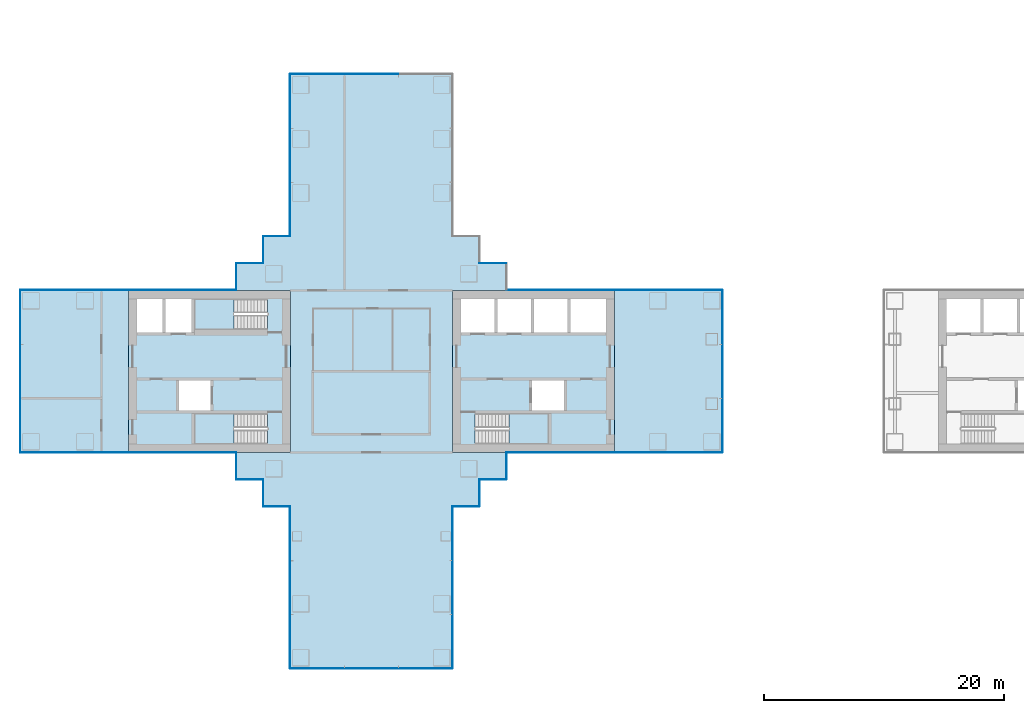
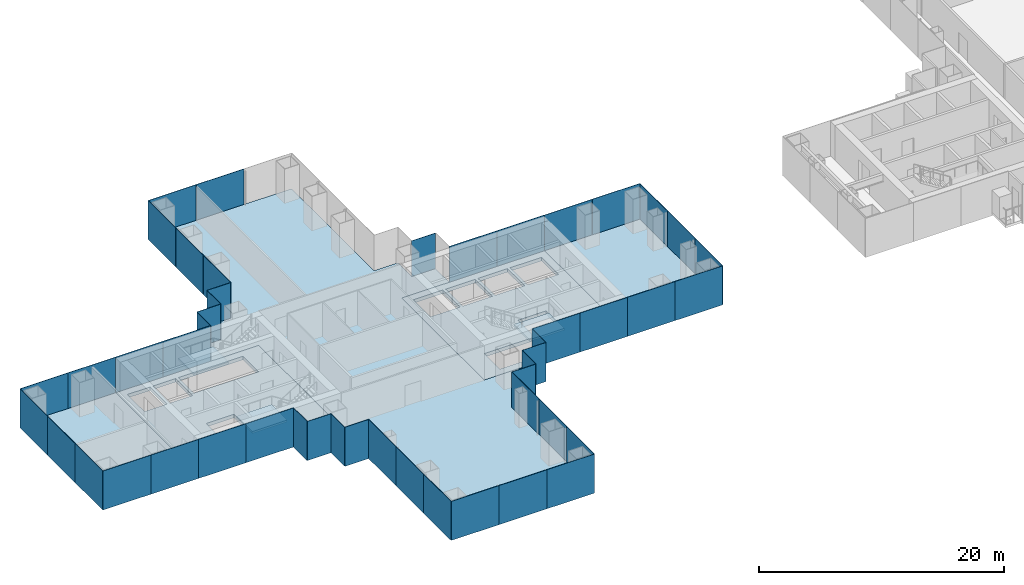
# One storey, part 11 of 22: 49 plates, 8 slabs, 22 elements without a shape of their own.
"""IFC4 building model written with IfcOpenShell, lengths in metres."""

from ifc_helpers import new_model, si_unit, direction, frame, origin, origin_2d, place, context, subcontext, project, spatial, polyline, rectangle, outline, extrude, material, layer, layer_set, type_object, element, aggregate, save


model = new_model("IFC4")

# Units and contexts
model_context = context("Model", 3, precision=1e-05, world=origin(), true_north=direction((0.0, 1.0)))
body_context = subcontext(model_context, "Body", "Model", "MODEL_VIEW")
ifc_project = project(units=[si_unit("LENGTHUNIT", "METRE"), si_unit("AREAUNIT", "SQUARE_METRE"), si_unit("VOLUMEUNIT", "CUBIC_METRE"), si_unit("PLANEANGLEUNIT", "RADIAN"), si_unit("MASSUNIT", "GRAM", prefix="KILO")], contexts=[model_context])

# Site, building, storey
site_placement = place(None, origin())
site = spatial("IfcSite", under=ifc_project, at=site_placement, CompositionType="ELEMENT")
building_placement = place(site_placement, origin())
building = spatial("IfcBuilding", under=site, at=building_placement, Name="Shamsa Quay Exchange Towers", CompositionType="ELEMENT")
storey_placement = place(building_placement, frame((0.0, 0.0, 73.199951171875)))
storey = spatial("IfcBuildingStorey", under=building, at=storey_placement, Name="L16", CompositionType="ELEMENT", Elevation=73.199951171875)

# Slabs
ifc_material_1 = material(Name="Concrete C50/60", Category="concrete")
ifc_layer_1 = layer(ifc_material_1, 0.35009765625)
ifc_layer_set_1 = layer_set([ifc_layer_1], Name="CORE FLOOR 350 C50/60")
slab_type_1 = type_object("IfcSlabType", Name="CORE FLOOR 350 C50/60", PredefinedType="FLOOR", material=ifc_layer_set_1)
slab_1_placement = place(storey_placement, frame((0.0, 0.0, -0.349853515625)))
element("IfcSlab", 1, at=slab_1_placement, inside=storey, type_object=slab_type_1, Name="Core floor T1A", PredefinedType="FLOOR", context=body_context, shape_type="SweptSolid", body=[
    extrude(outline(polyline([(-27.0, -6.75), (-13.5, -6.75), (-13.5, 6.75), (-27.0, 6.75), (-27.0, -6.75)]), holes=[polyline([(-25.099365234375, -6.050048828125), (-25.099365234375, -3.5), (-19.0, -3.5), (-19.0, -6.050048828125), (-25.099365234375, -6.050048828125)]), polyline([(-26.300048828125, 3.25), (-26.300048828125, 6.050048828125), (-23.5, 6.050048828125), (-23.5, 3.25), (-26.300048828125, 3.25)]), polyline([(-23.25, 3.25), (-23.25, 6.050048828125), (-20.449951171875, 6.050048828125), (-20.449951171875, 3.25), (-23.25, 3.25)]), polyline([(-20.199951171875, 3.25), (-20.199951171875, 6.050048828125), (-17.39990234375, 6.050048828125), (-17.39990234375, 3.25), (-20.199951171875, 3.25)]), polyline([(-17.14990234375, 3.25), (-17.14990234375, 6.050048828125), (-14.199951171875, 6.050048828125), (-14.199951171875, 3.25), (-17.14990234375, 3.25)]), polyline([(-20.35009765625, -3.25), (-20.35009765625, -0.75), (-17.699951171875, -0.75), (-17.699951171875, -3.25), (-20.35009765625, -3.25)])]), origin(), (0.0, 0.0, 1.0), 0.349853515625),
])
slab_2_placement = place(storey_placement, frame((0.0, 0.0, -0.349853515625)))
element("IfcSlab", 2, at=slab_2_placement, inside=storey, type_object=slab_type_1, Name="Core floor T1B", PredefinedType="FLOOR", context=body_context, shape_type="SweptSolid", body=[
    extrude(outline(polyline([(-40.5, -6.75), (-40.5, 6.75), (-54.0, 6.75), (-54.0, -6.75), (-40.5, -6.75)]), holes=[polyline([(-42.400634765625, -3.5), (-42.400634765625, -6.050048828125), (-48.5, -6.050048828125), (-48.5, -3.5), (-42.400634765625, -3.5)]), polyline([(-42.400634765625, 6.050048828125), (-42.400634765625, 3.5), (-48.5, 3.5), (-48.5, 6.050048828125), (-42.400634765625, 6.050048828125)]), polyline([(-48.75, 3.25), (-50.89990234375, 3.25), (-50.89990234375, 6.050048828125), (-48.75, 6.050048828125), (-48.75, 3.25)]), polyline([(-51.14990234375, 3.25), (-53.300048828125, 3.25), (-53.300048828125, 6.050048828125), (-51.14990234375, 6.050048828125), (-51.14990234375, 3.25)]), polyline([(-47.14990234375, -3.25), (-49.800048828125, -3.25), (-49.800048828125, -0.75), (-47.14990234375, -0.75), (-47.14990234375, -3.25)])]), origin(), (0.0, 0.0, 1.0), 0.349853515625),
])

# Stair, slab
ifc_material_2 = material(Name="Concrete C40/50", Category="concrete")
stair_type = type_object("IfcStairType", Name="EXIT STAIR 22 RISERS 177 MM", PredefinedType="HALF_TURN_STAIR", material=ifc_material_2)
stair_1_placement = place(storey_placement, origin())
stair_1 = element("IfcStair", 3, at=stair_1_placement, inside=storey, type_object=stair_type, Name="L16 Exit stair ST1", PredefinedType="HALF_TURN_STAIR")
ifc_layer_2 = layer(ifc_material_2, 0.199951171875)
ifc_layer_set_2 = layer_set([ifc_layer_2], Name="CORE STAIR LANDING")
slab_type_2 = type_object("IfcSlabType", Name="CORE STAIR LANDING", PredefinedType="LANDING", material=ifc_layer_set_2)
slab_3_placement = place(storey_placement, frame((0.0, 0.0, 1.75)))
slab_3 = element("IfcSlab", 4, at=slab_3_placement, type_object=slab_type_2, Name="ST1 landing 1", PredefinedType="LANDING", context=body_context, shape_type="SweptSolid", body=[
    extrude(outline(polyline([(-22.300048828125, -6.050048828125), (-19.0, -6.050048828125), (-19.0, -3.5), (-22.300048828125, -3.5), (-22.300048828125, -6.050048828125)])), origin(), (0.0, 0.0, 1.0), 0.199951171875),
])
aggregate(stair_1, [slab_3])

stair_2_placement = place(storey_placement, origin())
stair_2 = element("IfcStair", 5, at=stair_2_placement, inside=storey, type_object=stair_type, Name="L16 Exit stair ST2", PredefinedType="HALF_TURN_STAIR")
slab_4_placement = place(storey_placement, frame((0.0, 0.0, 1.75)))
slab_4 = element("IfcSlab", 6, at=slab_4_placement, type_object=slab_type_2, Name="ST2 landing 1", PredefinedType="LANDING", context=body_context, shape_type="SweptSolid", body=[
    extrude(outline(polyline([(-45.199951171875, -3.5), (-48.5, -3.5), (-48.5, -6.050048828125), (-45.199951171875, -6.050048828125), (-45.199951171875, -3.5)])), origin(), (0.0, 0.0, 1.0), 0.199951171875),
])
aggregate(stair_2, [slab_4])

stair_3_placement = place(storey_placement, origin())
stair_3 = element("IfcStair", 7, at=stair_3_placement, inside=storey, type_object=stair_type, Name="L16 Exit stair ST3", PredefinedType="HALF_TURN_STAIR")
slab_5_placement = place(storey_placement, frame((0.0, 0.0, 1.75)))
slab_5 = element("IfcSlab", 8, at=slab_5_placement, type_object=slab_type_2, Name="ST3 landing 1", PredefinedType="LANDING", context=body_context, shape_type="SweptSolid", body=[
    extrude(outline(polyline([(-45.199951171875, 6.050048828125), (-48.5, 6.050048828125), (-48.5, 3.5), (-45.199951171875, 3.5), (-45.199951171875, 6.050048828125)])), origin(), (0.0, 0.0, 1.0), 0.199951171875),
])
aggregate(stair_3, [slab_5])

# Curtain wall, plates
ifc_material_3 = material(Name="Aluminium EN AW-6063 T6, black anodised", Category="aluminium")
ifc_layer_3 = layer(ifc_material_3, 0.280029296875)
ifc_layer_set_3 = layer_set([ifc_layer_3], Name="CW-1 UNITISED VISION GLASS")
curtain_wall_type_1 = type_object("IfcCurtainWallType", Name="CW-1 UNITISED VISION GLASS", PredefinedType="NOTDEFINED", material=ifc_layer_set_3)
curtain_wall_1_placement = place(storey_placement, origin())
curtain_wall_1 = element("IfcCurtainWall", 9, at=curtain_wall_1_placement, inside=storey, type_object=curtain_wall_type_1, Name="CW1 T1-FLK-V-W L16", PredefinedType="NOTDEFINED")
ifc_material_4 = material(Name="Glass, laminated, dark tinted", Category="glass")
ifc_layer_4 = layer(ifc_material_4, 0.0400390625)
ifc_layer_set_4 = layer_set([ifc_layer_4], Name="CW-1 VISION GLASS 40")
plate_type_1 = type_object("IfcPlateType", Name="CW-1 VISION GLASS 40", PredefinedType="CURTAIN_PANEL", material=ifc_layer_set_4)
plate_1_placement = place(storey_placement, frame((-40.52001953125, -13.529052734375, -0.349853515625), z_axis=(0.0, 0.0, 1.0), x_axis=(0.0, -1.0, 0.0)))
plate_1 = element("IfcPlate", 10, at=plate_1_placement, type_object=plate_type_1, Name="CW1 glass panel", PredefinedType="CURTAIN_PANEL", context=body_context, shape_type="SweptSolid", body=[
    extrude(rectangle(XDim=4.482421875, YDim=0.0400390625, at=origin_2d()), origin(), (0.0, 0.0, 1.0), 3.89990234375),
])
plate_2_placement = place(storey_placement, frame((-40.52001953125, -18.01904296875, -0.349853515625), z_axis=(0.0, 0.0, 1.0), x_axis=(0.0, -1.0, 0.0)))
plate_2 = element("IfcPlate", 11, at=plate_2_placement, type_object=plate_type_1, Name="CW1 glass panel", PredefinedType="CURTAIN_PANEL", context=body_context, shape_type="SweptSolid", body=[
    extrude(rectangle(XDim=4.477294921875, YDim=0.0400390625, at=origin_2d()), origin(), (0.0, 0.0, 1.0), 3.89990234375),
])
plate_3_placement = place(storey_placement, frame((-40.52001953125, -22.5087890625, -0.349853515625), z_axis=(0.0, 0.0, 1.0), x_axis=(0.0, -1.0, 0.0)))
plate_3 = element("IfcPlate", 12, at=plate_3_placement, type_object=plate_type_1, Name="CW1 glass panel", PredefinedType="CURTAIN_PANEL", context=body_context, shape_type="SweptSolid", body=[
    extrude(rectangle(XDim=4.482421875, YDim=0.0400390625, at=origin_2d()), origin(), (0.0, 0.0, 1.0), 3.89990234375),
])
aggregate(curtain_wall_1, [plate_1, plate_2, plate_3])

curtain_wall_2_placement = place(storey_placement, origin())
curtain_wall_2 = element("IfcCurtainWall", 13, at=curtain_wall_2_placement, inside=storey, type_object=curtain_wall_type_1, Name="CW1 T1-END-V- L16", PredefinedType="NOTDEFINED")
plate_4_placement = place(storey_placement, frame((-38.25244140625, -24.77001953125, -0.349853515625)))
plate_4 = element("IfcPlate", 14, at=plate_4_placement, type_object=plate_type_1, Name="CW1 glass panel", PredefinedType="CURTAIN_PANEL", context=body_context, shape_type="SweptSolid", body=[
    extrude(rectangle(XDim=4.4951171875, YDim=0.0400390625, at=origin_2d()), origin(), (0.0, 0.0, 1.0), 3.89990234375),
])
plate_5_placement = place(storey_placement, frame((-33.75, -24.77001953125, -0.349853515625)))
plate_5 = element("IfcPlate", 15, at=plate_5_placement, type_object=plate_type_1, Name="CW1 glass panel", PredefinedType="CURTAIN_PANEL", context=body_context, shape_type="SweptSolid", body=[
    extrude(rectangle(XDim=4.489990234375, YDim=0.0400390625, at=origin_2d()), origin(), (0.0, 0.0, 1.0), 3.89990234375),
])
plate_6_placement = place(storey_placement, frame((-29.24755859375, -24.77001953125, -0.349853515625)))
plate_6 = element("IfcPlate", 16, at=plate_6_placement, type_object=plate_type_1, Name="CW1 glass panel", PredefinedType="CURTAIN_PANEL", context=body_context, shape_type="SweptSolid", body=[
    extrude(rectangle(XDim=4.4951171875, YDim=0.0400390625, at=origin_2d()), origin(), (0.0, 0.0, 1.0), 3.89990234375),
])
aggregate(curtain_wall_2, [plate_4, plate_5, plate_6])

curtain_wall_3_placement = place(storey_placement, origin())
curtain_wall_3 = element("IfcCurtainWall", 17, at=curtain_wall_3_placement, inside=storey, type_object=curtain_wall_type_1, Name="CW1 T1-FLK-V-E L16", PredefinedType="NOTDEFINED")
plate_7_placement = place(storey_placement, frame((-26.97998046875, -22.50244140625, -0.349853515625), z_axis=(0.0, 0.0, 1.0), x_axis=(0.0, 1.0, 0.0)))
plate_7 = element("IfcPlate", 18, at=plate_7_placement, type_object=plate_type_1, Name="CW1 glass panel", PredefinedType="CURTAIN_PANEL", context=body_context, shape_type="SweptSolid", body=[
    extrude(rectangle(XDim=4.4951171875, YDim=0.0400390625, at=origin_2d()), origin(), (0.0, 0.0, 1.0), 3.89990234375),
])
plate_8_placement = place(storey_placement, frame((-26.97998046875, -18.0, -0.349853515625), z_axis=(0.0, 0.0, 1.0), x_axis=(0.0, 1.0, 0.0)))
plate_8 = element("IfcPlate", 19, at=plate_8_placement, type_object=plate_type_1, Name="CW1 glass panel", PredefinedType="CURTAIN_PANEL", context=body_context, shape_type="SweptSolid", body=[
    extrude(rectangle(XDim=4.489990234375, YDim=0.0400390625, at=origin_2d()), origin(), (0.0, 0.0, 1.0), 3.89990234375),
])
plate_9_placement = place(storey_placement, frame((-26.97998046875, -13.49755859375, -0.349853515625), z_axis=(0.0, 0.0, 1.0), x_axis=(0.0, 1.0, 0.0)))
plate_9 = element("IfcPlate", 20, at=plate_9_placement, type_object=plate_type_1, Name="CW1 glass panel", PredefinedType="CURTAIN_PANEL", context=body_context, shape_type="SweptSolid", body=[
    extrude(rectangle(XDim=4.4951171875, YDim=0.0400390625, at=origin_2d()), origin(), (0.0, 0.0, 1.0), 3.89990234375),
])
aggregate(curtain_wall_3, [plate_7, plate_8, plate_9])

curtain_wall_4_placement = place(storey_placement, origin())
curtain_wall_4 = element("IfcCurtainWall", 21, at=curtain_wall_4_placement, inside=storey, type_object=curtain_wall_type_1, Name="CW1 T1-FLK-U+S L16", PredefinedType="NOTDEFINED")
plate_10_placement = place(storey_placement, frame((-11.25244140625, -6.77001953125, -0.349853515625)))
plate_10 = element("IfcPlate", 22, at=plate_10_placement, type_object=plate_type_1, Name="CW1 glass panel", PredefinedType="CURTAIN_PANEL", context=body_context, shape_type="SweptSolid", body=[
    extrude(rectangle(XDim=4.4951171875, YDim=0.0400390625, at=origin_2d()), origin(), (0.0, 0.0, 1.0), 3.89990234375),
])
plate_11_placement = place(storey_placement, frame((-6.74755859375, -6.77001953125, -0.349853515625)))
plate_11 = element("IfcPlate", 23, at=plate_11_placement, type_object=plate_type_1, Name="CW1 glass panel", PredefinedType="CURTAIN_PANEL", context=body_context, shape_type="SweptSolid", body=[
    extrude(rectangle(XDim=4.4951171875, YDim=0.0400390625, at=origin_2d()), origin(), (0.0, 0.0, 1.0), 3.89990234375),
])
aggregate(curtain_wall_4, [plate_10, plate_11])

curtain_wall_5_placement = place(storey_placement, origin())
curtain_wall_5 = element("IfcCurtainWall", 24, at=curtain_wall_5_placement, inside=storey, type_object=curtain_wall_type_1, Name="CW1 T1-END-U+ L16", PredefinedType="NOTDEFINED")
plate_12_placement = place(storey_placement, frame((-4.47998046875, -4.50244140625, -0.349853515625), z_axis=(0.0, 0.0, 1.0), x_axis=(0.0, 1.0, 0.0)))
plate_12 = element("IfcPlate", 25, at=plate_12_placement, type_object=plate_type_1, Name="CW1 glass panel", PredefinedType="CURTAIN_PANEL", context=body_context, shape_type="SweptSolid", body=[
    extrude(rectangle(XDim=4.4951171875, YDim=0.0400390625, at=origin_2d()), origin(), (0.0, 0.0, 1.0), 3.89990234375),
])
plate_13_placement = place(storey_placement, frame((-4.47998046875, 0.0, -0.349853515625), z_axis=(0.0, 0.0, 1.0), x_axis=(0.0, 1.0, 0.0)))
plate_13 = element("IfcPlate", 26, at=plate_13_placement, type_object=plate_type_1, Name="CW1 glass panel", PredefinedType="CURTAIN_PANEL", context=body_context, shape_type="SweptSolid", body=[
    extrude(rectangle(XDim=4.489990234375, YDim=0.0400390625, at=origin_2d()), origin(), (0.0, 0.0, 1.0), 3.89990234375),
])
plate_14_placement = place(storey_placement, frame((-4.47998046875, 4.50244140625, -0.349853515625), z_axis=(0.0, 0.0, 1.0), x_axis=(0.0, 1.0, 0.0)))
plate_14 = element("IfcPlate", 27, at=plate_14_placement, type_object=plate_type_1, Name="CW1 glass panel", PredefinedType="CURTAIN_PANEL", context=body_context, shape_type="SweptSolid", body=[
    extrude(rectangle(XDim=4.4951171875, YDim=0.0400390625, at=origin_2d()), origin(), (0.0, 0.0, 1.0), 3.89990234375),
])
aggregate(curtain_wall_5, [plate_12, plate_13, plate_14])

curtain_wall_6_placement = place(storey_placement, origin())
curtain_wall_6 = element("IfcCurtainWall", 28, at=curtain_wall_6_placement, inside=storey, type_object=curtain_wall_type_1, Name="CW1 T1-FLK-U+N L16", PredefinedType="NOTDEFINED")
plate_15_placement = place(storey_placement, frame((-6.74755859375, 6.77001953125, -0.349853515625), z_axis=(0.0, 0.0, 1.0), x_axis=(-1.0, 0.0, 0.0)))
plate_15 = element("IfcPlate", 29, at=plate_15_placement, type_object=plate_type_1, Name="CW1 glass panel", PredefinedType="CURTAIN_PANEL", context=body_context, shape_type="SweptSolid", body=[
    extrude(rectangle(XDim=4.4951171875, YDim=0.0400390625, at=origin_2d()), origin(), (0.0, 0.0, 1.0), 3.89990234375),
])
plate_16_placement = place(storey_placement, frame((-11.25244140625, 6.77001953125, -0.349853515625), z_axis=(0.0, 0.0, 1.0), x_axis=(-1.0, 0.0, 0.0)))
plate_16 = element("IfcPlate", 30, at=plate_16_placement, type_object=plate_type_1, Name="CW1 glass panel", PredefinedType="CURTAIN_PANEL", context=body_context, shape_type="SweptSolid", body=[
    extrude(rectangle(XDim=4.4951171875, YDim=0.0400390625, at=origin_2d()), origin(), (0.0, 0.0, 1.0), 3.89990234375),
])
aggregate(curtain_wall_6, [plate_15, plate_16])

curtain_wall_7_placement = place(storey_placement, origin())
curtain_wall_7 = element("IfcCurtainWall", 31, at=curtain_wall_7_placement, inside=storey, type_object=curtain_wall_type_1, Name="CW1 T1-END-V+ L16", PredefinedType="NOTDEFINED")
plate_17_placement = place(storey_placement, frame((-33.75, 24.77001953125, -0.349853515625), z_axis=(0.0, 0.0, 1.0), x_axis=(-1.0, 0.0, 0.0)))
plate_17 = element("IfcPlate", 32, at=plate_17_placement, type_object=plate_type_1, Name="CW1 glass panel", PredefinedType="CURTAIN_PANEL", context=body_context, shape_type="SweptSolid", body=[
    extrude(rectangle(XDim=4.489990234375, YDim=0.0400390625, at=origin_2d()), origin(), (0.0, 0.0, 1.0), 3.89990234375),
])
plate_18_placement = place(storey_placement, frame((-38.25244140625, 24.77001953125, -0.349853515625), z_axis=(0.0, 0.0, 1.0), x_axis=(-1.0, 0.0, 0.0)))
plate_18 = element("IfcPlate", 33, at=plate_18_placement, type_object=plate_type_1, Name="CW1 glass panel", PredefinedType="CURTAIN_PANEL", context=body_context, shape_type="SweptSolid", body=[
    extrude(rectangle(XDim=4.4951171875, YDim=0.0400390625, at=origin_2d()), origin(), (0.0, 0.0, 1.0), 3.89990234375),
])
aggregate(curtain_wall_7, [plate_17, plate_18])

curtain_wall_8_placement = place(storey_placement, origin())
curtain_wall_8 = element("IfcCurtainWall", 34, at=curtain_wall_8_placement, inside=storey, type_object=curtain_wall_type_1, Name="CW1 T1-FLK-V+W L16", PredefinedType="NOTDEFINED")
plate_19_placement = place(storey_placement, frame((-40.52001953125, 22.50244140625, -0.349853515625), z_axis=(0.0, 0.0, 1.0), x_axis=(0.0, -1.0, 0.0)))
plate_19 = element("IfcPlate", 35, at=plate_19_placement, type_object=plate_type_1, Name="CW1 glass panel", PredefinedType="CURTAIN_PANEL", context=body_context, shape_type="SweptSolid", body=[
    extrude(rectangle(XDim=4.4951171875, YDim=0.0400390625, at=origin_2d()), origin(), (0.0, 0.0, 1.0), 3.89990234375),
])
plate_20_placement = place(storey_placement, frame((-40.52001953125, 18.0, -0.349853515625), z_axis=(0.0, 0.0, 1.0), x_axis=(0.0, -1.0, 0.0)))
plate_20 = element("IfcPlate", 36, at=plate_20_placement, type_object=plate_type_1, Name="CW1 glass panel", PredefinedType="CURTAIN_PANEL", context=body_context, shape_type="SweptSolid", body=[
    extrude(rectangle(XDim=4.489990234375, YDim=0.0400390625, at=origin_2d()), origin(), (0.0, 0.0, 1.0), 3.89990234375),
])
plate_21_placement = place(storey_placement, frame((-40.52001953125, 13.49755859375, -0.349853515625), z_axis=(0.0, 0.0, 1.0), x_axis=(0.0, -1.0, 0.0)))
plate_21 = element("IfcPlate", 37, at=plate_21_placement, type_object=plate_type_1, Name="CW1 glass panel", PredefinedType="CURTAIN_PANEL", context=body_context, shape_type="SweptSolid", body=[
    extrude(rectangle(XDim=4.4951171875, YDim=0.0400390625, at=origin_2d()), origin(), (0.0, 0.0, 1.0), 3.89990234375),
])
aggregate(curtain_wall_8, [plate_19, plate_20, plate_21])

curtain_wall_9_placement = place(storey_placement, origin())
curtain_wall_9 = element("IfcCurtainWall", 38, at=curtain_wall_9_placement, inside=storey, type_object=curtain_wall_type_1, Name="CW1 T1-FLK-U-N L16", PredefinedType="NOTDEFINED")
plate_22_placement = place(storey_placement, frame((-56.24755859375, 6.77001953125, -0.349853515625), z_axis=(0.0, 0.0, 1.0), x_axis=(-1.0, 0.0, 0.0)))
plate_22 = element("IfcPlate", 39, at=plate_22_placement, type_object=plate_type_1, Name="CW1 glass panel", PredefinedType="CURTAIN_PANEL", context=body_context, shape_type="SweptSolid", body=[
    extrude(rectangle(XDim=4.4951171875, YDim=0.0400390625, at=origin_2d()), origin(), (0.0, 0.0, 1.0), 3.89990234375),
])
plate_23_placement = place(storey_placement, frame((-60.75244140625, 6.77001953125, -0.349853515625), z_axis=(0.0, 0.0, 1.0), x_axis=(-1.0, 0.0, 0.0)))
plate_23 = element("IfcPlate", 40, at=plate_23_placement, type_object=plate_type_1, Name="CW1 glass panel", PredefinedType="CURTAIN_PANEL", context=body_context, shape_type="SweptSolid", body=[
    extrude(rectangle(XDim=4.4951171875, YDim=0.0400390625, at=origin_2d()), origin(), (0.0, 0.0, 1.0), 3.89990234375),
])
aggregate(curtain_wall_9, [plate_22, plate_23])

curtain_wall_10_placement = place(storey_placement, origin())
curtain_wall_10 = element("IfcCurtainWall", 41, at=curtain_wall_10_placement, inside=storey, type_object=curtain_wall_type_1, Name="CW1 T1-END-U- L16", PredefinedType="NOTDEFINED")
plate_24_placement = place(storey_placement, frame((-63.02001953125, 4.50244140625, -0.349853515625), z_axis=(0.0, 0.0, 1.0), x_axis=(0.0, -1.0, 0.0)))
plate_24 = element("IfcPlate", 42, at=plate_24_placement, type_object=plate_type_1, Name="CW1 glass panel", PredefinedType="CURTAIN_PANEL", context=body_context, shape_type="SweptSolid", body=[
    extrude(rectangle(XDim=4.4951171875, YDim=0.0400390625, at=origin_2d()), origin(), (0.0, 0.0, 1.0), 3.89990234375),
])
plate_25_placement = place(storey_placement, frame((-63.02001953125, 0.0, -0.349853515625), z_axis=(0.0, 0.0, 1.0), x_axis=(0.0, -1.0, 0.0)))
plate_25 = element("IfcPlate", 43, at=plate_25_placement, type_object=plate_type_1, Name="CW1 glass panel", PredefinedType="CURTAIN_PANEL", context=body_context, shape_type="SweptSolid", body=[
    extrude(rectangle(XDim=4.489990234375, YDim=0.0400390625, at=origin_2d()), origin(), (0.0, 0.0, 1.0), 3.89990234375),
])
plate_26_placement = place(storey_placement, frame((-63.02001953125, -4.50244140625, -0.349853515625), z_axis=(0.0, 0.0, 1.0), x_axis=(0.0, -1.0, 0.0)))
plate_26 = element("IfcPlate", 44, at=plate_26_placement, type_object=plate_type_1, Name="CW1 glass panel", PredefinedType="CURTAIN_PANEL", context=body_context, shape_type="SweptSolid", body=[
    extrude(rectangle(XDim=4.4951171875, YDim=0.0400390625, at=origin_2d()), origin(), (0.0, 0.0, 1.0), 3.89990234375),
])
aggregate(curtain_wall_10, [plate_24, plate_25, plate_26])

curtain_wall_11_placement = place(storey_placement, origin())
curtain_wall_11 = element("IfcCurtainWall", 45, at=curtain_wall_11_placement, inside=storey, type_object=curtain_wall_type_1, Name="CW1 T1-FLK-U-S L16", PredefinedType="NOTDEFINED")
plate_27_placement = place(storey_placement, frame((-60.75244140625, -6.77001953125, -0.349853515625)))
plate_27 = element("IfcPlate", 46, at=plate_27_placement, type_object=plate_type_1, Name="CW1 glass panel", PredefinedType="CURTAIN_PANEL", context=body_context, shape_type="SweptSolid", body=[
    extrude(rectangle(XDim=4.4951171875, YDim=0.0400390625, at=origin_2d()), origin(), (0.0, 0.0, 1.0), 3.89990234375),
])
plate_28_placement = place(storey_placement, frame((-56.24755859375, -6.77001953125, -0.349853515625)))
plate_28 = element("IfcPlate", 47, at=plate_28_placement, type_object=plate_type_1, Name="CW1 glass panel", PredefinedType="CURTAIN_PANEL", context=body_context, shape_type="SweptSolid", body=[
    extrude(rectangle(XDim=4.4951171875, YDim=0.0400390625, at=origin_2d()), origin(), (0.0, 0.0, 1.0), 3.89990234375),
])
aggregate(curtain_wall_11, [plate_27, plate_28])

ifc_layer_5 = layer(ifc_material_3, 0.303955078125)
ifc_layer_set_5 = layer_set([ifc_layer_5], Name="CW-2 UNITISED OPAQUE SPANDREL GLASS")
curtain_wall_type_2 = type_object("IfcCurtainWallType", Name="CW-2 UNITISED OPAQUE SPANDREL GLASS", PredefinedType="NOTDEFINED", material=ifc_layer_set_5)
curtain_wall_12_placement = place(storey_placement, origin())
curtain_wall_12 = element("IfcCurtainWall", 48, at=curtain_wall_12_placement, inside=storey, type_object=curtain_wall_type_2, Name="CW2 T1-FLK-U+S L16", PredefinedType="NOTDEFINED")
ifc_material_5 = material(Name="Glass, laminated, black enamelled opaque", Category="glass")
ifc_layer_6 = layer(ifc_material_5, 0.0439453125)
ifc_layer_set_6 = layer_set([ifc_layer_6], Name="CW-2 SPANDREL GLASS 44")
plate_type_2 = type_object("IfcPlateType", Name="CW-2 SPANDREL GLASS 44", PredefinedType="CURTAIN_PANEL", material=ifc_layer_set_6)
plate_29_placement = place(storey_placement, frame((-20.22412109375, -6.77197265625, -0.349853515625)))
plate_29 = element("IfcPlate", 49, at=plate_29_placement, type_object=plate_type_2, Name="CW2 glass panel", PredefinedType="CURTAIN_PANEL", context=body_context, shape_type="SweptSolid", body=[
    extrude(rectangle(XDim=4.47607421875, YDim=0.0439453125, at=origin_2d()), origin(), (0.0, 0.0, 1.0), 3.89990234375),
])
plate_30_placement = place(storey_placement, frame((-15.738037109375, -6.77197265625, -0.349853515625)))
plate_30 = element("IfcPlate", 50, at=plate_30_placement, type_object=plate_type_2, Name="CW2 glass panel", PredefinedType="CURTAIN_PANEL", context=body_context, shape_type="SweptSolid", body=[
    extrude(rectangle(XDim=4.47607421875, YDim=0.0439453125, at=origin_2d()), origin(), (0.0, 0.0, 1.0), 3.89990234375),
])
aggregate(curtain_wall_12, [plate_29, plate_30])

curtain_wall_13_placement = place(storey_placement, origin())
curtain_wall_13 = element("IfcCurtainWall", 51, at=curtain_wall_13_placement, inside=storey, type_object=curtain_wall_type_2, Name="CW2 T1-FLK-U+N L16", PredefinedType="NOTDEFINED")
plate_31_placement = place(storey_placement, frame((-15.74755859375, 6.77197265625, -0.349853515625), z_axis=(0.0, 0.0, 1.0), x_axis=(-1.0, 0.0, 0.0)))
plate_31 = element("IfcPlate", 52, at=plate_31_placement, type_object=plate_type_2, Name="CW2 glass panel", PredefinedType="CURTAIN_PANEL", context=body_context, shape_type="SweptSolid", body=[
    extrude(rectangle(XDim=4.4951171875, YDim=0.0439453125, at=origin_2d()), origin(), (0.0, 0.0, 1.0), 3.89990234375),
])
plate_32_placement = place(storey_placement, frame((-20.25244140625, 6.77197265625, -0.349853515625), z_axis=(0.0, 0.0, 1.0), x_axis=(-1.0, 0.0, 0.0)))
plate_32 = element("IfcPlate", 53, at=plate_32_placement, type_object=plate_type_2, Name="CW2 glass panel", PredefinedType="CURTAIN_PANEL", context=body_context, shape_type="SweptSolid", body=[
    extrude(rectangle(XDim=4.4951171875, YDim=0.0439453125, at=origin_2d()), origin(), (0.0, 0.0, 1.0), 3.89990234375),
])
aggregate(curtain_wall_13, [plate_31, plate_32])

curtain_wall_14_placement = place(storey_placement, origin())
curtain_wall_14 = element("IfcCurtainWall", 54, at=curtain_wall_14_placement, inside=storey, type_object=curtain_wall_type_2, Name="CW2 T1-FLK-U-N L16", PredefinedType="NOTDEFINED")
plate_33_placement = place(storey_placement, frame((-47.27587890625, 6.77197265625, -0.349853515625), z_axis=(0.0, 0.0, 1.0), x_axis=(-1.0, 0.0, 0.0)))
plate_33 = element("IfcPlate", 55, at=plate_33_placement, type_object=plate_type_2, Name="CW2 glass panel", PredefinedType="CURTAIN_PANEL", context=body_context, shape_type="SweptSolid", body=[
    extrude(rectangle(XDim=4.47607421875, YDim=0.0439453125, at=origin_2d()), origin(), (0.0, 0.0, 1.0), 3.89990234375),
])
plate_34_placement = place(storey_placement, frame((-51.761962890625, 6.77197265625, -0.349853515625), z_axis=(0.0, 0.0, 1.0), x_axis=(-1.0, 0.0, 0.0)))
plate_34 = element("IfcPlate", 56, at=plate_34_placement, type_object=plate_type_2, Name="CW2 glass panel", PredefinedType="CURTAIN_PANEL", context=body_context, shape_type="SweptSolid", body=[
    extrude(rectangle(XDim=4.47607421875, YDim=0.0439453125, at=origin_2d()), origin(), (0.0, 0.0, 1.0), 3.89990234375),
])
aggregate(curtain_wall_14, [plate_33, plate_34])

curtain_wall_15_placement = place(storey_placement, origin())
curtain_wall_15 = element("IfcCurtainWall", 57, at=curtain_wall_15_placement, inside=storey, type_object=curtain_wall_type_2, Name="CW2 T1-FLK-U-S L16", PredefinedType="NOTDEFINED")
plate_35_placement = place(storey_placement, frame((-51.75244140625, -6.77197265625, -0.349853515625)))
plate_35 = element("IfcPlate", 58, at=plate_35_placement, type_object=plate_type_2, Name="CW2 glass panel", PredefinedType="CURTAIN_PANEL", context=body_context, shape_type="SweptSolid", body=[
    extrude(rectangle(XDim=4.4951171875, YDim=0.0439453125, at=origin_2d()), origin(), (0.0, 0.0, 1.0), 3.89990234375),
])
plate_36_placement = place(storey_placement, frame((-47.24755859375, -6.77197265625, -0.349853515625)))
plate_36 = element("IfcPlate", 59, at=plate_36_placement, type_object=plate_type_2, Name="CW2 glass panel", PredefinedType="CURTAIN_PANEL", context=body_context, shape_type="SweptSolid", body=[
    extrude(rectangle(XDim=4.4951171875, YDim=0.0439453125, at=origin_2d()), origin(), (0.0, 0.0, 1.0), 3.89990234375),
])
aggregate(curtain_wall_15, [plate_35, plate_36])

ifc_layer_7 = layer(ifc_material_3, 0.256103515625)
ifc_layer_set_7 = layer_set([ifc_layer_7], Name="CW-4 POCKET SERRATED GLAZING")
curtain_wall_type_3 = type_object("IfcCurtainWallType", Name="CW-4 POCKET SERRATED GLAZING", PredefinedType="NOTDEFINED", material=ifc_layer_set_7)
curtain_wall_16_placement = place(storey_placement, origin())
curtain_wall_16 = element("IfcCurtainWall", 60, at=curtain_wall_16_placement, inside=storey, type_object=curtain_wall_type_3, Name="CW4 PKWS L16", PredefinedType="NOTDEFINED")
ifc_layer_8 = layer(ifc_material_4, 0.035888671875)
ifc_layer_set_8 = layer_set([ifc_layer_8], Name="CW-4 POCKET GLASS 36")
plate_type_3 = type_object("IfcPlateType", Name="CW-4 POCKET GLASS 36", PredefinedType="CURTAIN_PANEL", material=ifc_layer_set_8)
plate_37_placement = place(storey_placement, frame((-42.76806640625, -10.14404296875, -0.349853515625), z_axis=(0.0, 0.0, 1.0), x_axis=(0.0, -1.0, 0.0)))
plate_37 = element("IfcPlate", 61, at=plate_37_placement, type_object=plate_type_3, Name="CW4 glass panel", PredefinedType="CURTAIN_PANEL", context=body_context, shape_type="SweptSolid", body=[
    extrude(rectangle(XDim=2.2119140625, YDim=0.035888671875, at=origin_2d()), origin(), (0.0, 0.0, 1.0), 3.89990234375),
])
plate_38_placement = place(storey_placement, frame((-41.625, -11.26806640625, -0.349853515625)))
plate_38 = element("IfcPlate", 62, at=plate_38_placement, type_object=plate_type_3, Name="CW4 glass panel", PredefinedType="CURTAIN_PANEL", context=body_context, shape_type="SweptSolid", body=[
    extrude(rectangle(XDim=2.25, YDim=0.035888671875, at=origin_2d()), origin(), (0.0, 0.0, 1.0), 3.89990234375),
])
plate_39_placement = place(storey_placement, frame((-45.01806640625, -7.89794921875, -0.349853515625), z_axis=(0.0, 0.0, 1.0), x_axis=(0.0, -1.0, 0.0)))
plate_39 = element("IfcPlate", 63, at=plate_39_placement, type_object=plate_type_3, Name="CW4 glass panel", PredefinedType="CURTAIN_PANEL", context=body_context, shape_type="SweptSolid", body=[
    extrude(rectangle(XDim=2.2041015625, YDim=0.035888671875, at=origin_2d()), origin(), (0.0, 0.0, 1.0), 3.89990234375),
])
plate_40_placement = place(storey_placement, frame((-43.875, -9.01806640625, -0.349853515625)))
plate_40 = element("IfcPlate", 64, at=plate_40_placement, type_object=plate_type_3, Name="CW4 glass panel", PredefinedType="CURTAIN_PANEL", context=body_context, shape_type="SweptSolid", body=[
    extrude(rectangle(XDim=2.25, YDim=0.035888671875, at=origin_2d()), origin(), (0.0, 0.0, 1.0), 3.89990234375),
])
aggregate(curtain_wall_16, [plate_37, plate_38, plate_39, plate_40])

curtain_wall_17_placement = place(storey_placement, origin())
curtain_wall_17 = element("IfcCurtainWall", 65, at=curtain_wall_17_placement, inside=storey, type_object=curtain_wall_type_3, Name="CW4 PKES L16", PredefinedType="NOTDEFINED")
plate_41_placement = place(storey_placement, frame((-25.85400390625, -11.26806640625, -0.349853515625)))
plate_41 = element("IfcPlate", 66, at=plate_41_placement, type_object=plate_type_3, Name="CW4 glass panel", PredefinedType="CURTAIN_PANEL", context=body_context, shape_type="SweptSolid", body=[
    extrude(rectangle(XDim=2.2080078125, YDim=0.035888671875, at=origin_2d()), origin(), (0.0, 0.0, 1.0), 3.89990234375),
])
plate_42_placement = place(storey_placement, frame((-24.73193359375, -10.125, -0.349853515625), z_axis=(0.0, 0.0, 1.0), x_axis=(0.0, 1.0, 0.0)))
plate_42 = element("IfcPlate", 67, at=plate_42_placement, type_object=plate_type_3, Name="CW4 glass panel", PredefinedType="CURTAIN_PANEL", context=body_context, shape_type="SweptSolid", body=[
    extrude(rectangle(XDim=2.25, YDim=0.035888671875, at=origin_2d()), origin(), (0.0, 0.0, 1.0), 3.89990234375),
])
plate_43_placement = place(storey_placement, frame((-23.60595703125, -9.01806640625, -0.349853515625)))
plate_43 = element("IfcPlate", 68, at=plate_43_placement, type_object=plate_type_3, Name="CW4 glass panel", PredefinedType="CURTAIN_PANEL", context=body_context, shape_type="SweptSolid", body=[
    extrude(rectangle(XDim=2.2119140625, YDim=0.035888671875, at=origin_2d()), origin(), (0.0, 0.0, 1.0), 3.89990234375),
])
plate_44_placement = place(storey_placement, frame((-22.48193359375, -7.875, -0.349853515625), z_axis=(0.0, 0.0, 1.0), x_axis=(0.0, 1.0, 0.0)))
plate_44 = element("IfcPlate", 69, at=plate_44_placement, type_object=plate_type_3, Name="CW4 glass panel", PredefinedType="CURTAIN_PANEL", context=body_context, shape_type="SweptSolid", body=[
    extrude(rectangle(XDim=2.25, YDim=0.035888671875, at=origin_2d()), origin(), (0.0, 0.0, 1.0), 3.89990234375),
])
aggregate(curtain_wall_17, [plate_41, plate_42, plate_43, plate_44])

# Curtain wall, plate
curtain_wall_18_placement = place(storey_placement, origin())
curtain_wall_18 = element("IfcCurtainWall", 70, at=curtain_wall_18_placement, inside=storey, type_object=curtain_wall_type_3, Name="CW4 PKEN L16", PredefinedType="NOTDEFINED")
plate_45_placement = place(storey_placement, frame((-23.625, 9.01806640625, -0.349853515625), z_axis=(0.0, 0.0, 1.0), x_axis=(-1.0, 0.0, 0.0)))
plate_45 = element("IfcPlate", 71, at=plate_45_placement, type_object=plate_type_3, Name="CW4 glass panel", PredefinedType="CURTAIN_PANEL", context=body_context, shape_type="SweptSolid", body=[
    extrude(rectangle(XDim=2.25, YDim=0.035888671875, at=origin_2d()), origin(), (0.0, 0.0, 1.0), 3.89990234375),
])
aggregate(curtain_wall_18, [plate_45])

# Curtain wall, plates
curtain_wall_19_placement = place(storey_placement, origin())
curtain_wall_19 = element("IfcCurtainWall", 72, at=curtain_wall_19_placement, inside=storey, type_object=curtain_wall_type_3, Name="CW4 PKWN L16", PredefinedType="NOTDEFINED")
plate_46_placement = place(storey_placement, frame((-41.64599609375, 11.26806640625, -0.349853515625), z_axis=(0.0, 0.0, 1.0), x_axis=(-1.0, 0.0, 0.0)))
plate_46 = element("IfcPlate", 73, at=plate_46_placement, type_object=plate_type_3, Name="CW4 glass panel", PredefinedType="CURTAIN_PANEL", context=body_context, shape_type="SweptSolid", body=[
    extrude(rectangle(XDim=2.2080078125, YDim=0.035888671875, at=origin_2d()), origin(), (0.0, 0.0, 1.0), 3.89990234375),
])
plate_47_placement = place(storey_placement, frame((-42.76806640625, 10.125, -0.349853515625), z_axis=(0.0, 0.0, 1.0), x_axis=(0.0, -1.0, 0.0)))
plate_47 = element("IfcPlate", 74, at=plate_47_placement, type_object=plate_type_3, Name="CW4 glass panel", PredefinedType="CURTAIN_PANEL", context=body_context, shape_type="SweptSolid", body=[
    extrude(rectangle(XDim=2.25, YDim=0.035888671875, at=origin_2d()), origin(), (0.0, 0.0, 1.0), 3.89990234375),
])
plate_48_placement = place(storey_placement, frame((-43.89404296875, 9.01806640625, -0.349853515625), z_axis=(0.0, 0.0, 1.0), x_axis=(-1.0, 0.0, 0.0)))
plate_48 = element("IfcPlate", 75, at=plate_48_placement, type_object=plate_type_3, Name="CW4 glass panel", PredefinedType="CURTAIN_PANEL", context=body_context, shape_type="SweptSolid", body=[
    extrude(rectangle(XDim=2.2119140625, YDim=0.035888671875, at=origin_2d()), origin(), (0.0, 0.0, 1.0), 3.89990234375),
])
plate_49_placement = place(storey_placement, frame((-45.01806640625, 7.875, -0.349853515625), z_axis=(0.0, 0.0, 1.0), x_axis=(0.0, -1.0, 0.0)))
plate_49 = element("IfcPlate", 76, at=plate_49_placement, type_object=plate_type_3, Name="CW4 glass panel", PredefinedType="CURTAIN_PANEL", context=body_context, shape_type="SweptSolid", body=[
    extrude(rectangle(XDim=2.25, YDim=0.035888671875, at=origin_2d()), origin(), (0.0, 0.0, 1.0), 3.89990234375),
])
aggregate(curtain_wall_19, [plate_46, plate_47, plate_48, plate_49])

# Slabs
ifc_layer_9 = layer(ifc_material_2, 0.35009765625)
ifc_layer_set_9 = layer_set([ifc_layer_9], Name="Flat slab 350")
slab_type_3 = type_object("IfcSlabType", Name="Flat slab 350", PredefinedType="FLOOR", material=ifc_layer_set_9)
slab_6_placement = place(storey_placement, frame((0.0, 0.0, -0.349853515625)))
element("IfcSlab", 77, at=slab_6_placement, inside=storey, type_object=slab_type_3, Name="Flat slab T1 L16 1", PredefinedType="FLOOR", context=body_context, shape_type="SweptSolid", body=[
    extrude(outline(polyline([(-63.0, -6.75), (-54.0, -6.75), (-54.0, 6.75), (-63.0, 6.75), (-63.0, -6.75)])), origin(), (0.0, 0.0, 1.0), 0.349853515625),
])
slab_7_placement = place(storey_placement, frame((0.0, 0.0, -0.349853515625)))
element("IfcSlab", 78, at=slab_7_placement, inside=storey, type_object=slab_type_3, Name="Flat slab T1 L16 2", PredefinedType="FLOOR", context=body_context, shape_type="SweptSolid", body=[
    extrude(outline(polyline([(-22.5, -9.0), (-22.5, -6.75), (-27.0, -6.75), (-27.0, 6.75), (-22.5, 6.75), (-22.5, 9.0), (-24.75, 9.0), (-24.75, 11.25), (-27.0, 11.25), (-27.0, 24.75), (-40.5, 24.75), (-40.5, 11.25), (-42.75, 11.25), (-42.75, 9.0), (-45.0, 9.0), (-45.0, 6.75), (-40.5, 6.75), (-40.5, -6.75), (-45.0, -6.75), (-45.0, -9.0), (-42.75, -9.0), (-42.75, -11.25), (-40.5, -11.25), (-40.5, -24.75), (-27.0, -24.75), (-27.0, -11.25), (-24.75, -11.25), (-24.75, -9.0), (-22.5, -9.0)])), origin(), (0.0, 0.0, 1.0), 0.349853515625),
])
slab_8_placement = place(storey_placement, frame((0.0, 0.0, -0.349853515625)))
element("IfcSlab", 79, at=slab_8_placement, inside=storey, type_object=slab_type_3, Name="Flat slab T1 L16 3", PredefinedType="FLOOR", context=body_context, shape_type="SweptSolid", body=[
    extrude(outline(polyline([(-4.5, 6.75), (-13.5, 6.75), (-13.5, -6.75), (-4.5, -6.75), (-4.5, 6.75)])), origin(), (0.0, 0.0, 1.0), 0.349853515625),
])

save(model, "model.ifc")
